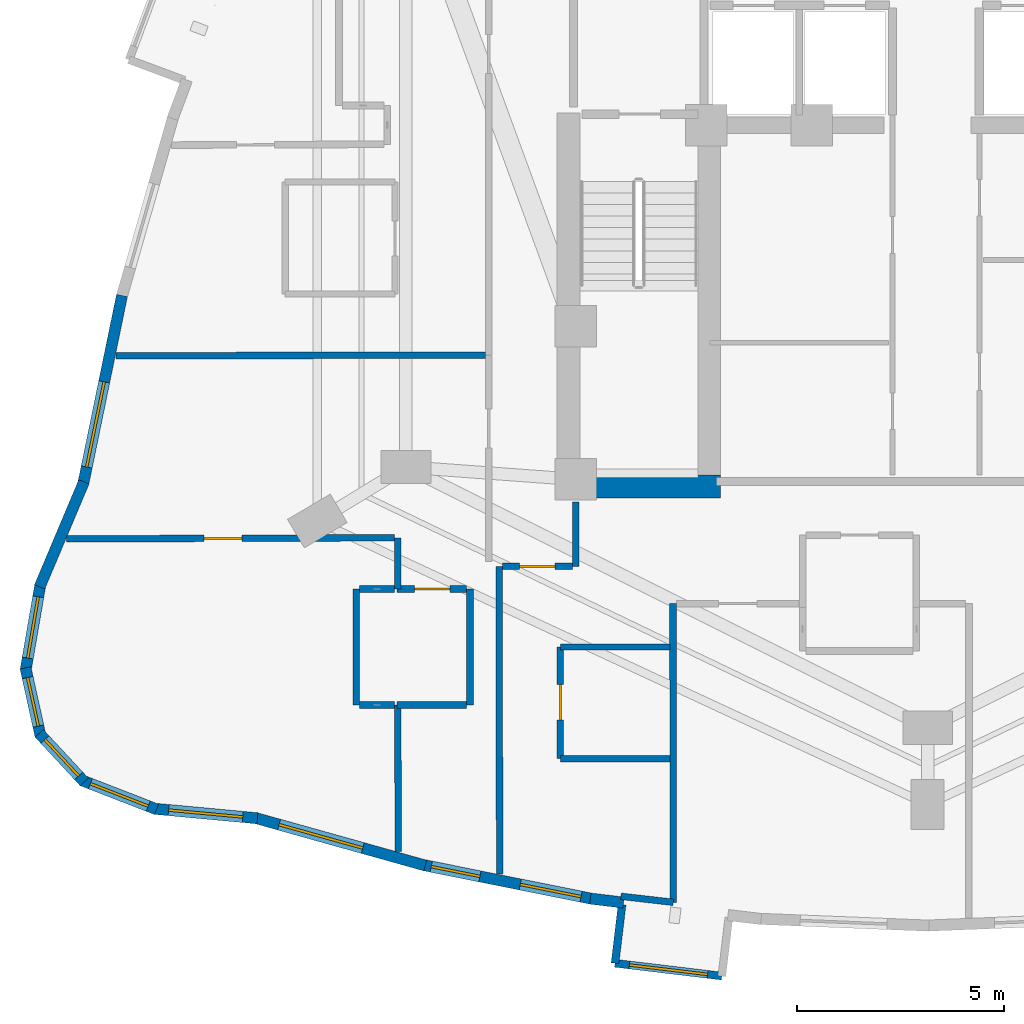
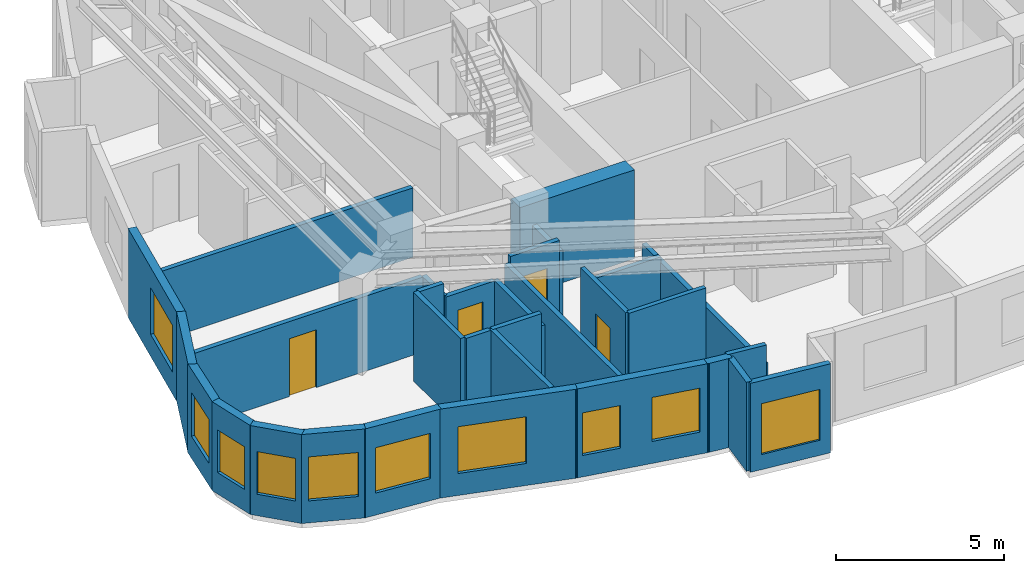
# One storey, part 8 of 14: 31 walls, 10 windows, 4 doors, 14 openings.
"""IFC4 building model written with IfcOpenShell, lengths in metres."""

from ifc_helpers import new_model, si_unit, direction, frame, frame_2d, origin, place, context, subcontext, project, spatial, rectangle, extrude, material, layer, layer_set, type_object, element, fill, save


model = new_model("IFC4")

# Units and contexts
model_context = context("Model", 3, precision=1e-05, world=origin(), true_north=direction((0.0, 1.0)))
body_context = subcontext(model_context, "Body", "Model", "MODEL_VIEW")
ifc_project = project(units=[si_unit("LENGTHUNIT", "METRE"), si_unit("AREAUNIT", "SQUARE_METRE"), si_unit("VOLUMEUNIT", "CUBIC_METRE"), si_unit("PLANEANGLEUNIT", "RADIAN"), si_unit("MASSUNIT", "GRAM", prefix="KILO")], contexts=[model_context])

# Site, building, storey
site_placement = place(None, origin())
site = spatial("IfcSite", under=ifc_project, at=site_placement, CompositionType="ELEMENT")
building_placement = place(site_placement, origin())
building = spatial("IfcBuilding", under=site, at=building_placement, Name="Miruveldt Soraemaru", CompositionType="ELEMENT")
storey_placement = place(building_placement, frame((0.0, 0.0, 128.39990234375)))
storey = spatial("IfcBuildingStorey", under=building, at=storey_placement, Name="L35", CompositionType="ELEMENT", Elevation=128.39990234375)

# Wall
ifc_material_1 = material(Name="White powder-coated aluminium EN AW-6060 T6", Category="aluminium")
ifc_layer_1 = layer(ifc_material_1, 0.18994140625, Name="White powder-coated aluminium EN AW-6060 T6", Category="aluminium")
ifc_layer_set_1 = layer_set([ifc_layer_1], Name="White powder-coated aluminium EN AW-6060 T6")
wall_type_1 = type_object("IfcWallType", Name="WALL-BAY-ALU190", PredefinedType="SOLIDWALL", material=ifc_layer_set_1)
wall_1_placement = place(storey_placement, frame((36.619873046875, 25.2275390625, 0.0), z_axis=(0.0, 0.0, 1.0), x_axis=(-0.119077659317, -0.992884943511, 0.0)))
element("IfcWall", 1, at=wall_1_placement, inside=storey, type_object=wall_type_1, Name="L35 Bay Window Side Cheek 3L", PredefinedType="SOLIDWALL", context=body_context, shape_type="SweptSolid", body=[
    extrude(rectangle(XDim=1.425048828125, YDim=0.18994140625, at=frame_2d((0.71240234375, 0.0))), origin(), (0.0, 0.0, 1.0), 3.235107421875),
])

# Wall, opening, window
wall_2_placement = place(storey_placement, frame((36.4501953125, 23.812744140625, 0.0), z_axis=(0.0, 0.0, 1.0), x_axis=(0.992874172121, -0.119167438232, 0.0)))
wall_2 = element("IfcWall", 2, at=wall_2_placement, inside=storey, type_object=wall_type_1, Name="L35 Bay Window Front Frame 3", PredefinedType="SOLIDWALL", context=body_context, shape_type="SweptSolid", body=[
    extrude(rectangle(XDim=2.599853515625, YDim=0.18994140625, at=frame_2d((1.2998046875, 0.0))), origin(), (0.0, 0.0, 1.0), 3.235107421875),
])
opening_1_placement = place(wall_2_placement, frame((0.35009765625, 0.0, 0.550048828125)))
opening_1 = element("IfcOpeningElement", 3, at=opening_1_placement, cuts=wall_2, Name="Opening WN-6", PredefinedType="OPENING", context=body_context, shape_type="SweptSolid", body=[
    extrude(rectangle(XDim=1.89990234375, YDim=1.85009765625, at=frame_2d((0.949951171875, 0.925048828125))), frame((0.0, 0.10498046875, 0.0), z_axis=(0.0, -1.0, 0.0), x_axis=(1.0, 0.0, 0.0)), (0.0, 0.0, 1.0), 0.2099609375),
])
ifc_material_2 = material(Name="Triple low-e insulated glazing", Category="glass")
window_type_1 = type_object("IfcWindowType", Name="WIN-BAYW-1900x1850", PartitioningType="SINGLE_PANEL", PredefinedType="WINDOW", material=ifc_material_2)
window_1_placement = place(opening_1_placement, origin())
window_1 = element("IfcWindow", 4, at=window_1_placement, inside=storey, type_object=window_type_1, Name="L35 Projecting Bay Window 3", OverallHeight=1.85009765625, OverallWidth=1.89990234375, PartitioningType="SINGLE_PANEL", PredefinedType="WINDOW", context=body_context, shape_type="SweptSolid", body=[
    extrude(rectangle(XDim=1.89990234375, YDim=1.85009765625, at=frame_2d((0.949951171875, 0.925048828125))), frame((0.0, 0.030029296875, 0.0), z_axis=(0.0, -1.0, 0.0), x_axis=(1.0, 0.0, 0.0)), (0.0, 0.0, 1.0), 0.06005859375),
])
fill(opening_1, window_1)

# Wall
ifc_material_3 = material(Name="Concrete C70/85 (70 MPa)", Category="concrete")
ifc_layer_2 = layer(ifc_material_3, 0.550048828125, Name="Concrete C70/85 (70 MPa)", Category="concrete")
ifc_layer_set_2 = layer_set([ifc_layer_2], Name="Concrete C70/85 (70 MPa)")
wall_type_2 = type_object("IfcWallType", Name="WALL-CW-550", PredefinedType="SHEAR", material=ifc_layer_set_2)
wall_3_placement = place(storey_placement, frame((35.050048828125, 35.324951171875, 0.0), z_axis=(0.0, 0.0, 1.0), x_axis=(1.0, 0.0, 0.0)))
element("IfcWall", 5, at=wall_3_placement, inside=storey, type_object=wall_type_2, Name="L35 Central Core Shear Wall S1", PredefinedType="SHEAR", context=body_context, shape_type="SweptSolid", body=[
    extrude(rectangle(XDim=3.949951171875, YDim=0.550048828125, at=frame_2d((1.97509765625, 0.0))), origin(), (0.0, 0.0, 1.0), 3.235107421875),
])

# Wall, opening, window
ifc_material_4 = material(Name="Precast concrete C45/55 (45 MPa)", Category="concrete")
ifc_layer_3 = layer(ifc_material_4, 0.27001953125, Name="Precast concrete C45/55 (45 MPa)", Category="concrete")
ifc_layer_set_3 = layer_set([ifc_layer_3], Name="Precast concrete C45/55 (45 MPa)")
wall_type_3 = type_object("IfcWallType", Name="WALL-EXT-PC270", PredefinedType="SOLIDWALL", material=ifc_layer_set_3)
wall_4_placement = place(storey_placement, frame((24.541748046875, 39.943359375, 0.0), z_axis=(0.0, 0.0, 1.0), x_axis=(-0.201567284441, -0.979474670343, 0.0)))
wall_4 = element("IfcWall", 6, at=wall_4_placement, inside=storey, type_object=wall_type_3, Name="L35 Precast Concrete Facade Wall 14", PredefinedType="SOLIDWALL", context=body_context, shape_type="SweptSolid", body=[
    extrude(rectangle(XDim=4.66552734375, YDim=0.27001953125, at=frame_2d((2.332763671875, 0.0))), origin(), (0.0, 0.0, 1.0), 3.235107421875),
])
opening_2_placement = place(wall_4_placement, frame((2.131103515625, 0.0, 0.800048828125)))
opening_2 = element("IfcOpeningElement", 7, at=opening_2_placement, cuts=wall_4, Name="Opening WN-1", PredefinedType="OPENING", context=body_context, shape_type="SweptSolid", body=[
    extrude(rectangle(XDim=2.10009765625, YDim=1.699951171875, at=frame_2d((1.050048828125, 0.85009765625))), frame((0.0, 0.14501953125, 0.0), z_axis=(0.0, -1.0, 0.0), x_axis=(1.0, 0.0, 0.0)), (0.0, 0.0, 1.0), 0.2900390625),
])
window_type_2 = type_object("IfcWindowType", Name="WIN-PUNCH-2100x1700", PartitioningType="SINGLE_PANEL", PredefinedType="WINDOW", material=ifc_material_2)
window_2_placement = place(opening_2_placement, origin())
window_2 = element("IfcWindow", 8, at=window_2_placement, inside=storey, type_object=window_type_2, Name="L35 Punched Triple-Glazed Window 14.1", OverallHeight=1.699951171875, OverallWidth=2.10009765625, PartitioningType="SINGLE_PANEL", PredefinedType="WINDOW", context=body_context, shape_type="SweptSolid", body=[
    extrude(rectangle(XDim=2.10009765625, YDim=1.699951171875, at=frame_2d((1.050048828125, 0.85009765625))), frame((0.0, 0.030029296875, 0.0), z_axis=(0.0, -1.0, 0.0), x_axis=(1.0, 0.0, 0.0)), (0.0, 0.0, 1.0), 0.06005859375),
])
fill(opening_2, window_2)

# Wall
wall_5_placement = place(storey_placement, frame((23.621826171875, 35.440185546875, 0.0), z_axis=(0.0, 0.0, 1.0), x_axis=(-0.388604046784, -0.921404848491, 0.0)))
element("IfcWall", 9, at=wall_5_placement, inside=storey, type_object=wall_type_3, Name="L35 Precast Concrete Facade Wall 15", PredefinedType="SOLIDWALL", context=body_context, shape_type="SweptSolid", body=[
    extrude(rectangle(XDim=2.7529296875, YDim=0.27001953125, at=frame_2d((1.37646484375, 0.0))), origin(), (0.0, 0.0, 1.0), 3.235107421875),
])

# Wall, opening, window
wall_6_placement = place(storey_placement, frame((22.571533203125, 32.97021484375, 0.0), z_axis=(0.0, 0.0, 1.0), x_axis=(-0.169321385443, -0.985560890271, 0.0)))
wall_6 = element("IfcWall", 10, at=wall_6_placement, inside=storey, type_object=wall_type_3, Name="L35 Precast Concrete Facade Wall 16", PredefinedType="SOLIDWALL", context=body_context, shape_type="SweptSolid", body=[
    extrude(rectangle(XDim=2.12255859375, YDim=0.27001953125, at=frame_2d((1.061279296875, 0.0))), origin(), (0.0, 0.0, 1.0), 3.235107421875),
])
opening_3_placement = place(wall_6_placement, frame((0.31103515625, 0.0, 0.800048828125)))
opening_3 = element("IfcOpeningElement", 11, at=opening_3_placement, cuts=wall_6, Name="Opening WN-3", PredefinedType="OPENING", context=body_context, shape_type="SweptSolid", body=[
    extrude(rectangle(XDim=1.5, YDim=1.60009765625, at=frame_2d((0.75, 0.800048828125))), frame((0.0, 0.14501953125, 0.0), z_axis=(0.0, -1.0, 0.0), x_axis=(1.0, 0.0, 0.0)), (0.0, 0.0, 1.0), 0.2900390625),
])
window_type_3 = type_object("IfcWindowType", Name="WIN-PUNCH-1500x1600", PartitioningType="SINGLE_PANEL", PredefinedType="WINDOW", material=ifc_material_2)
window_3_placement = place(opening_3_placement, origin())
window_3 = element("IfcWindow", 12, at=window_3_placement, inside=storey, type_object=window_type_3, Name="L35 Punched Triple-Glazed Window 16.1", OverallHeight=1.60009765625, OverallWidth=1.5, PartitioningType="SINGLE_PANEL", PredefinedType="WINDOW", context=body_context, shape_type="SweptSolid", body=[
    extrude(rectangle(XDim=1.5, YDim=1.60009765625, at=frame_2d((0.75, 0.800048828125))), frame((0.0, 0.030029296875, 0.0), z_axis=(0.0, -1.0, 0.0), x_axis=(1.0, 0.0, 0.0)), (0.0, 0.0, 1.0), 0.06005859375),
])
fill(opening_3, window_3)

wall_7_placement = place(storey_placement, frame((22.210693359375, 30.947265625, 0.0), z_axis=(0.0, 0.0, 1.0), x_axis=(0.215515556799, -0.976500406952, 0.0)))
wall_7 = element("IfcWall", 13, at=wall_7_placement, inside=storey, type_object=wall_type_3, Name="L35 Precast Concrete Facade Wall 17", PredefinedType="SOLIDWALL", context=body_context, shape_type="SweptSolid", body=[
    extrude(rectangle(XDim=1.68115234375, YDim=0.27001953125, at=frame_2d((0.840576171875, 0.0))), origin(), (0.0, 0.0, 1.0), 3.235107421875),
])
opening_4_placement = place(wall_7_placement, frame((0.239990234375, 0.0, 0.780029296875)))
opening_4 = element("IfcOpeningElement", 14, at=opening_4_placement, cuts=wall_7, Name="Opening WN-4", PredefinedType="OPENING", context=body_context, shape_type="SweptSolid", body=[
    extrude(rectangle(XDim=1.199951171875, YDim=1.550048828125, at=frame_2d((0.60009765625, 0.77490234375))), frame((0.0, 0.14501953125, 0.0), z_axis=(0.0, -1.0, 0.0), x_axis=(1.0, 0.0, 0.0)), (0.0, 0.0, 1.0), 0.2900390625),
])
window_type_4 = type_object("IfcWindowType", Name="WIN-PUNCH-1200x1550", PartitioningType="SINGLE_PANEL", PredefinedType="WINDOW", material=ifc_material_2)
window_4_placement = place(opening_4_placement, origin())
window_4 = element("IfcWindow", 15, at=window_4_placement, inside=storey, type_object=window_type_4, Name="L35 Punched Triple-Glazed Window 17.1", OverallHeight=1.550048828125, OverallWidth=1.199951171875, PartitioningType="SINGLE_PANEL", PredefinedType="WINDOW", context=body_context, shape_type="SweptSolid", body=[
    extrude(rectangle(XDim=1.199951171875, YDim=1.550048828125, at=frame_2d((0.60009765625, 0.77490234375))), frame((0.0, 0.030029296875, 0.0), z_axis=(0.0, -1.0, 0.0), x_axis=(1.0, 0.0, 0.0)), (0.0, 0.0, 1.0), 0.06005859375),
])
fill(opening_4, window_4)

wall_8_placement = place(storey_placement, frame((22.541748046875, 29.365478515625, 0.0), z_axis=(0.0, 0.0, 1.0), x_axis=(0.680188175281, -0.733037547611, 0.0)))
wall_8 = element("IfcWall", 16, at=wall_8_placement, inside=storey, type_object=wall_type_3, Name="L35 Precast Concrete Facade Wall 18", PredefinedType="SOLIDWALL", context=body_context, shape_type="SweptSolid", body=[
    extrude(rectangle(XDim=1.60302734375, YDim=0.27001953125, at=frame_2d((0.801513671875, 0.0))), origin(), (0.0, 0.0, 1.0), 3.235107421875),
])
opening_5_placement = place(wall_8_placement, frame((0.201904296875, 0.0, 0.780029296875)))
opening_5 = element("IfcOpeningElement", 17, at=opening_5_placement, cuts=wall_8, Name="Opening WN-4", PredefinedType="OPENING", context=body_context, shape_type="SweptSolid", body=[
    extrude(rectangle(XDim=1.199951171875, YDim=1.550048828125, at=frame_2d((0.60009765625, 0.77490234375))), frame((0.0, 0.14501953125, 0.0), z_axis=(0.0, -1.0, 0.0), x_axis=(1.0, 0.0, 0.0)), (0.0, 0.0, 1.0), 0.2900390625),
])
window_5_placement = place(opening_5_placement, origin())
window_5 = element("IfcWindow", 18, at=window_5_placement, inside=storey, type_object=window_type_4, Name="L35 Punched Triple-Glazed Window 18.1", OverallHeight=1.550048828125, OverallWidth=1.199951171875, PartitioningType="SINGLE_PANEL", PredefinedType="WINDOW", context=body_context, shape_type="SweptSolid", body=[
    extrude(rectangle(XDim=1.199951171875, YDim=1.550048828125, at=frame_2d((0.60009765625, 0.77490234375))), frame((0.0, 0.030029296875, 0.0), z_axis=(0.0, -1.0, 0.0), x_axis=(1.0, 0.0, 0.0)), (0.0, 0.0, 1.0), 0.06005859375),
])
fill(opening_5, window_5)

wall_9_placement = place(storey_placement, frame((23.57568359375, 28.228759765625, 0.0), z_axis=(0.0, 0.0, 1.0), x_axis=(0.932300505595, -0.361684624039, 0.0)))
wall_9 = element("IfcWall", 19, at=wall_9_placement, inside=storey, type_object=wall_type_3, Name="L35 Precast Concrete Facade Wall 19", PredefinedType="SOLIDWALL", context=body_context, shape_type="SweptSolid", body=[
    extrude(rectangle(XDim=1.933837890625, YDim=0.27001953125, at=frame_2d((0.966796875, 0.0))), origin(), (0.0, 0.0, 1.0), 3.235107421875),
])
opening_6_placement = place(wall_9_placement, frame((0.217041015625, 0.0, 0.800048828125)))
opening_6 = element("IfcOpeningElement", 20, at=opening_6_placement, cuts=wall_9, Name="Opening WN-3", PredefinedType="OPENING", context=body_context, shape_type="SweptSolid", body=[
    extrude(rectangle(XDim=1.5, YDim=1.60009765625, at=frame_2d((0.75, 0.800048828125))), frame((0.0, 0.14501953125, 0.0), z_axis=(0.0, -1.0, 0.0), x_axis=(1.0, 0.0, 0.0)), (0.0, 0.0, 1.0), 0.2900390625),
])
window_6_placement = place(opening_6_placement, origin())
window_6 = element("IfcWindow", 21, at=window_6_placement, inside=storey, type_object=window_type_3, Name="L35 Punched Triple-Glazed Window 19.1", OverallHeight=1.60009765625, OverallWidth=1.5, PartitioningType="SINGLE_PANEL", PredefinedType="WINDOW", context=body_context, shape_type="SweptSolid", body=[
    extrude(rectangle(XDim=1.5, YDim=1.60009765625, at=frame_2d((0.75, 0.800048828125))), frame((0.0, 0.030029296875, 0.0), z_axis=(0.0, -1.0, 0.0), x_axis=(1.0, 0.0, 0.0)), (0.0, 0.0, 1.0), 0.06005859375),
])
fill(opening_6, window_6)

wall_10_placement = place(storey_placement, frame((25.311279296875, 27.545166015625, 0.0), z_axis=(0.0, 0.0, 1.0), x_axis=(0.995759974065, -0.091989532284, 0.0)))
wall_10 = element("IfcWall", 22, at=wall_10_placement, inside=storey, type_object=wall_type_3, Name="L35 Precast Concrete Facade Wall 20", PredefinedType="SOLIDWALL", context=body_context, shape_type="SweptSolid", body=[
    extrude(rectangle(XDim=2.513427734375, YDim=0.27001953125, at=frame_2d((1.2568359375, 0.0))), origin(), (0.0, 0.0, 1.0), 3.235107421875),
])
opening_7_placement = place(wall_10_placement, frame((0.35693359375, 0.0, 0.800048828125)))
opening_7 = element("IfcOpeningElement", 23, at=opening_7_placement, cuts=wall_10, Name="Opening WN-2", PredefinedType="OPENING", context=body_context, shape_type="SweptSolid", body=[
    extrude(rectangle(XDim=1.800048828125, YDim=1.64990234375, at=frame_2d((0.89990234375, 0.824951171875))), frame((0.0, 0.14501953125, 0.0), z_axis=(0.0, -1.0, 0.0), x_axis=(1.0, 0.0, 0.0)), (0.0, 0.0, 1.0), 0.2900390625),
])
window_type_5 = type_object("IfcWindowType", Name="WIN-PUNCH-1800x1650", PartitioningType="SINGLE_PANEL", PredefinedType="WINDOW", material=ifc_material_2)
window_7_placement = place(opening_7_placement, origin())
window_7 = element("IfcWindow", 24, at=window_7_placement, inside=storey, type_object=window_type_5, Name="L35 Punched Triple-Glazed Window 20.1", OverallHeight=1.64990234375, OverallWidth=1.800048828125, PartitioningType="SINGLE_PANEL", PredefinedType="WINDOW", context=body_context, shape_type="SweptSolid", body=[
    extrude(rectangle(XDim=1.800048828125, YDim=1.64990234375, at=frame_2d((0.89990234375, 0.824951171875))), frame((0.0, 0.030029296875, 0.0), z_axis=(0.0, -1.0, 0.0), x_axis=(1.0, 0.0, 0.0)), (0.0, 0.0, 1.0), 0.06005859375),
])
fill(opening_7, window_7)

wall_11_placement = place(storey_placement, frame((27.745361328125, 27.32666015625, 0.0), z_axis=(0.0, 0.0, 1.0), x_axis=(0.962965204251, -0.269625694996, 0.0)))
wall_11 = element("IfcWall", 25, at=wall_11_placement, inside=storey, type_object=wall_type_3, Name="L35 Precast Concrete Facade Wall 21", PredefinedType="SOLIDWALL", context=body_context, shape_type="SweptSolid", body=[
    extrude(rectangle(XDim=4.281005859375, YDim=0.27001953125, at=frame_2d((2.140625, 0.0))), origin(), (0.0, 0.0, 1.0), 3.235107421875),
])
opening_8_placement = place(wall_11_placement, frame((0.613037109375, 0.0, 0.800048828125)))
opening_8 = element("IfcOpeningElement", 26, at=opening_8_placement, cuts=wall_11, Name="Opening WN-1", PredefinedType="OPENING", context=body_context, shape_type="SweptSolid", body=[
    extrude(rectangle(XDim=2.10009765625, YDim=1.699951171875, at=frame_2d((1.050048828125, 0.85009765625))), frame((0.0, 0.14501953125, 0.0), z_axis=(0.0, -1.0, 0.0), x_axis=(1.0, 0.0, 0.0)), (0.0, 0.0, 1.0), 0.2900390625),
])
window_8_placement = place(opening_8_placement, origin())
window_8 = element("IfcWindow", 27, at=window_8_placement, inside=storey, type_object=window_type_2, Name="L35 Punched Triple-Glazed Window 21.1", OverallHeight=1.699951171875, OverallWidth=2.10009765625, PartitioningType="SINGLE_PANEL", PredefinedType="WINDOW", context=body_context, shape_type="SweptSolid", body=[
    extrude(rectangle(XDim=2.10009765625, YDim=1.699951171875, at=frame_2d((1.050048828125, 0.85009765625))), frame((0.0, 0.030029296875, 0.0), z_axis=(0.0, -1.0, 0.0), x_axis=(1.0, 0.0, 0.0)), (0.0, 0.0, 1.0), 0.06005859375),
])
fill(opening_8, window_8)

# Wall, openings, windows
wall_12_placement = place(storey_placement, frame((31.800048828125, 26.188720703125, 0.0), z_axis=(0.0, 0.0, 1.0), x_axis=(0.980571743457, -0.196160791021, 0.0)))
wall_12 = element("IfcWall", 28, at=wall_12_placement, inside=storey, type_object=wall_type_3, Name="L35 Precast Concrete Facade Wall 22", PredefinedType="SOLIDWALL", context=body_context, shape_type="SweptSolid", body=[
    extrude(rectangle(XDim=4.20556640625, YDim=0.27001953125, at=frame_2d((2.102783203125, 0.0))), origin(), (0.0, 0.0, 1.0), 3.235107421875),
])
opening_9_placement = place(wall_12_placement, frame((0.216064453125, 0.0, 0.780029296875)))
opening_9 = element("IfcOpeningElement", 29, at=opening_9_placement, cuts=wall_12, Name="Opening WN-4", PredefinedType="OPENING", context=body_context, shape_type="SweptSolid", body=[
    extrude(rectangle(XDim=1.199951171875, YDim=1.550048828125, at=frame_2d((0.60009765625, 0.77490234375))), frame((0.0, 0.14501953125, 0.0), z_axis=(0.0, -1.0, 0.0), x_axis=(1.0, 0.0, 0.0)), (0.0, 0.0, 1.0), 0.2900390625),
])
opening_10_placement = place(wall_12_placement, frame((2.407958984375, 0.0, 0.800048828125)))
opening_10 = element("IfcOpeningElement", 30, at=opening_10_placement, cuts=wall_12, Name="Opening WN-3", PredefinedType="OPENING", context=body_context, shape_type="SweptSolid", body=[
    extrude(rectangle(XDim=1.5, YDim=1.60009765625, at=frame_2d((0.75, 0.800048828125))), frame((0.0, 0.14501953125, 0.0), z_axis=(0.0, -1.0, 0.0), x_axis=(1.0, 0.0, 0.0)), (0.0, 0.0, 1.0), 0.2900390625),
])
window_9_placement = place(opening_9_placement, origin())
window_9 = element("IfcWindow", 31, at=window_9_placement, inside=storey, type_object=window_type_4, Name="L35 Punched Triple-Glazed Window 22.1", OverallHeight=1.550048828125, OverallWidth=1.199951171875, PartitioningType="SINGLE_PANEL", PredefinedType="WINDOW", context=body_context, shape_type="SweptSolid", body=[
    extrude(rectangle(XDim=1.199951171875, YDim=1.550048828125, at=frame_2d((0.60009765625, 0.77490234375))), frame((0.0, 0.030029296875, 0.0), z_axis=(0.0, -1.0, 0.0), x_axis=(1.0, 0.0, 0.0)), (0.0, 0.0, 1.0), 0.06005859375),
])
fill(opening_9, window_9)
window_10_placement = place(opening_10_placement, origin())
window_10 = element("IfcWindow", 32, at=window_10_placement, inside=storey, type_object=window_type_3, Name="L35 Punched Triple-Glazed Window 22.2", OverallHeight=1.60009765625, OverallWidth=1.5, PartitioningType="SINGLE_PANEL", PredefinedType="WINDOW", context=body_context, shape_type="SweptSolid", body=[
    extrude(rectangle(XDim=1.5, YDim=1.60009765625, at=frame_2d((0.75, 0.800048828125))), frame((0.0, 0.030029296875, 0.0), z_axis=(0.0, -1.0, 0.0), x_axis=(1.0, 0.0, 0.0)), (0.0, 0.0, 1.0), 0.06005859375),
])
fill(opening_10, window_10)

# Wall
wall_13_placement = place(storey_placement, frame((35.854736328125, 25.374755859375, 0.0), z_axis=(0.0, 0.0, 1.0), x_axis=(0.992875407362, -0.119157146056, 0.0)))
element("IfcWall", 33, at=wall_13_placement, inside=storey, type_object=wall_type_3, Name="L35 Precast Pier Wall 23A", PredefinedType="SOLIDWALL", context=body_context, shape_type="SweptSolid", body=[
    extrude(rectangle(XDim=0.807373046875, YDim=0.27001953125, at=frame_2d((0.40380859375, 0.0))), origin(), (0.0, 0.0, 1.0), 3.235107421875),
])

# Wall, opening, door
ifc_material_5 = material(Name="Gypsum plasterboard lining", Category="gypsum")
ifc_layer_4 = layer(ifc_material_5, 0.14990234375, Name="Gypsum plasterboard lining", Category="gypsum")
ifc_layer_set_4 = layer_set([ifc_layer_4], Name="Gypsum plasterboard lining")
wall_type_4 = type_object("IfcWallType", Name="WALL-INT-PLUMB", PredefinedType="PLUMBINGWALL", material=ifc_layer_set_4)
wall_14_placement = place(storey_placement, frame((35.1298828125, 31.4541015625, 0.0), z_axis=(0.0, 0.0, 1.0), x_axis=(0.0, -1.0, 0.0)))
wall_14 = element("IfcWall", 34, at=wall_14_placement, inside=storey, type_object=wall_type_4, Name="L35 Partition Wall 71", PredefinedType="PLUMBINGWALL", context=body_context, shape_type="SweptSolid", body=[
    extrude(rectangle(XDim=2.7001953125, YDim=0.14990234375, at=frame_2d((1.35009765625, 0.0))), origin(), (0.0, 0.0, 1.0), 3.235107421875),
])
opening_11_placement = place(wall_14_placement, frame((0.909912109375, 0.0, 0.0)))
opening_11 = element("IfcOpeningElement", 35, at=opening_11_placement, cuts=wall_14, Name="Opening FD3", PredefinedType="OPENING", context=body_context, shape_type="SweptSolid", body=[
    extrude(rectangle(XDim=0.85009765625, YDim=2.10009765625, at=frame_2d((0.425048828125, 1.050048828125))), frame((0.0, 0.0849609375, 0.0), z_axis=(0.0, -1.0, 0.0), x_axis=(1.0, 0.0, 0.0)), (0.0, 0.0, 1.0), 0.169921875),
])
ifc_material_6 = material(Name="Anodised aluminium EN AW-6063 T6", Category="aluminium")
door_type_1 = type_object("IfcDoorType", Name="DOOR-FD3-850", OperationType="NOTDEFINED", PredefinedType="DOOR", material=ifc_material_6)
door_1_placement = place(opening_11_placement, origin())
door_1 = element("IfcDoor", 36, at=door_1_placement, inside=storey, type_object=door_type_1, Name="L35 Unit 3508 BTH Door", OperationType="SINGLE_SWING_LEFT", OverallHeight=2.10009765625, OverallWidth=0.85009765625, PredefinedType="DOOR", context=body_context, shape_type="SweptSolid", body=[
    extrude(rectangle(XDim=0.85009765625, YDim=2.10009765625, at=frame_2d((0.425048828125, 1.050048828125))), frame((0.0, 0.02490234375, 0.0), z_axis=(0.0, -1.0, 0.0), x_axis=(1.0, 0.0, 0.0)), (0.0, 0.0, 1.0), 0.050048828125),
])
fill(opening_11, door_1)

# Walls
wall_15_placement = place(storey_placement, frame((37.780029296875, 31.4541015625, 0.0), z_axis=(0.0, 0.0, 1.0), x_axis=(-1.0, 0.0, 0.0)))
element("IfcWall", 37, at=wall_15_placement, inside=storey, type_object=wall_type_4, Name="L35 Partition Wall 70", PredefinedType="PLUMBINGWALL", context=body_context, shape_type="SweptSolid", body=[
    extrude(rectangle(XDim=2.650146484375, YDim=0.14990234375, at=frame_2d((1.3251953125, 0.0))), origin(), (0.0, 0.0, 1.0), 2.72314453125),
])
wall_16_placement = place(storey_placement, frame((35.1298828125, 28.75390625, 0.0), z_axis=(0.0, 0.0, 1.0), x_axis=(1.0, 0.0, 0.0)))
element("IfcWall", 38, at=wall_16_placement, inside=storey, type_object=wall_type_4, Name="L35 Partition Wall 72", PredefinedType="PLUMBINGWALL", context=body_context, shape_type="SweptSolid", body=[
    extrude(rectangle(XDim=2.650146484375, YDim=0.14990234375, at=frame_2d((1.3251953125, 0.0))), origin(), (0.0, 0.0, 1.0), 3.235107421875),
])

# Wall, opening, door
ifc_material_7 = material(Name="Concrete C40/50 (40 MPa)", Category="concrete")
ifc_layer_5 = layer(ifc_material_7, 0.159912109375, Name="Concrete C40/50 (40 MPa)", Category="concrete")
ifc_layer_set_5 = layer_set([ifc_layer_5], Name="Concrete C40/50 (40 MPa)")
wall_type_5 = type_object("IfcWallType", Name="WALL-INT-RC160", PredefinedType="SOLIDWALL", material=ifc_layer_set_5)
wall_17_placement = place(storey_placement, frame((23.2041015625, 34.06298828125, 0.0), z_axis=(0.0, 0.0, 1.0), x_axis=(0.999994140252, 0.003423370021, 0.0)))
wall_17 = element("IfcWall", 39, at=wall_17_placement, inside=storey, type_object=wall_type_5, Name="L35 Partition Wall 63", PredefinedType="SOLIDWALL", context=body_context, shape_type="SweptSolid", body=[
    extrude(rectangle(XDim=7.916015625, YDim=0.159912109375, at=frame_2d((3.9580078125, 0.0))), origin(), (0.0, 0.0, 1.0), 2.72314453125),
])
opening_12_placement = place(wall_17_placement, frame((3.318115234375, 0.0, 0.0)))
opening_12 = element("IfcOpeningElement", 40, at=opening_12_placement, cuts=wall_17, Name="Opening D3A", PredefinedType="OPENING", context=body_context, shape_type="SweptSolid", body=[
    extrude(rectangle(XDim=0.919921875, YDim=2.10009765625, at=frame_2d((0.4599609375, 1.050048828125))), frame((0.0, 0.08984375, 0.0), z_axis=(0.0, -1.0, 0.0), x_axis=(1.0, 0.0, 0.0)), (0.0, 0.0, 1.0), 0.179931640625),
])
door_type_2 = type_object("IfcDoorType", Name="DOOR-INT-920", OperationType="NOTDEFINED", PredefinedType="DOOR", material=ifc_material_6)
door_2_placement = place(opening_12_placement, origin())
door_2 = element("IfcDoor", 41, at=door_2_placement, inside=storey, type_object=door_type_2, Name="L35 Unit 3507 BD1 Door", OperationType="SINGLE_SWING_LEFT", OverallHeight=2.10009765625, OverallWidth=0.919921875, PredefinedType="DOOR", context=body_context, shape_type="SweptSolid", body=[
    extrude(rectangle(XDim=0.919921875, YDim=2.10009765625, at=frame_2d((0.4599609375, 1.050048828125))), frame((0.0, 0.02490234375, 0.0), z_axis=(0.0, -1.0, 0.0), x_axis=(1.0, 0.0, 0.0)), (0.0, 0.0, 1.0), 0.050048828125),
])
fill(opening_12, door_2)

wall_18_placement = place(storey_placement, frame((33.72998046875, 33.39990234375, 0.0), z_axis=(0.0, 0.0, 1.0), x_axis=(1.0, 0.0, 0.0)))
wall_18 = element("IfcWall", 42, at=wall_18_placement, inside=storey, type_object=wall_type_5, Name="L35 Partition Wall 9", PredefinedType="SOLIDWALL", context=body_context, shape_type="SweptSolid", body=[
    extrude(rectangle(XDim=1.68994140625, YDim=0.159912109375, at=frame_2d((0.844970703125, 0.0))), origin(), (0.0, 0.0, 1.0), 2.97314453125),
])
opening_13_placement = place(wall_18_placement, frame((0.4150390625, 0.0, 0.0)))
opening_13 = element("IfcOpeningElement", 43, at=opening_13_placement, cuts=wall_18, Name="Opening FD3", PredefinedType="OPENING", context=body_context, shape_type="SweptSolid", body=[
    extrude(rectangle(XDim=0.85009765625, YDim=2.10009765625, at=frame_2d((0.425048828125, 1.050048828125))), frame((0.0, 0.08984375, 0.0), z_axis=(0.0, -1.0, 0.0), x_axis=(1.0, 0.0, 0.0)), (0.0, 0.0, 1.0), 0.179931640625),
])
door_3_placement = place(opening_13_placement, origin())
door_3 = element("IfcDoor", 44, at=door_3_placement, inside=storey, type_object=door_type_1, Name="L35 Unit 3508 Entrance Fire Door", OperationType="SINGLE_SWING_RIGHT", OverallHeight=2.10009765625, OverallWidth=0.85009765625, PredefinedType="DOOR", context=body_context, shape_type="SweptSolid", body=[
    extrude(rectangle(XDim=0.85009765625, YDim=2.10009765625, at=frame_2d((0.425048828125, 1.050048828125))), frame((0.0, 0.02490234375, 0.0), z_axis=(0.0, -1.0, 0.0), x_axis=(1.0, 0.0, 0.0)), (0.0, 0.0, 1.0), 0.050048828125),
])
fill(opening_13, door_3)

wall_19_placement = place(storey_placement, frame((32.867919921875, 32.85107421875, 0.0), z_axis=(0.0, 0.0, 1.0), x_axis=(-1.0, 0.0, 0.0)))
wall_19 = element("IfcWall", 45, at=wall_19_placement, inside=storey, type_object=wall_type_5, Name="L35 Partition Wall 61", PredefinedType="SOLIDWALL", context=body_context, shape_type="SweptSolid", body=[
    extrude(rectangle(XDim=1.677978515625, YDim=0.159912109375, at=frame_2d((0.8388671875, 0.0))), origin(), (0.0, 0.0, 1.0), 2.72314453125),
])
opening_14_placement = place(wall_19_placement, frame((0.408935546875, 0.0, 0.0)))
opening_14 = element("IfcOpeningElement", 46, at=opening_14_placement, cuts=wall_19, Name="Opening FD3", PredefinedType="OPENING", context=body_context, shape_type="SweptSolid", body=[
    extrude(rectangle(XDim=0.85009765625, YDim=2.10009765625, at=frame_2d((0.425048828125, 1.050048828125))), frame((0.0, 0.08984375, 0.0), z_axis=(0.0, -1.0, 0.0), x_axis=(1.0, 0.0, 0.0)), (0.0, 0.0, 1.0), 0.179931640625),
])
door_4_placement = place(opening_14_placement, origin())
door_4 = element("IfcDoor", 47, at=door_4_placement, inside=storey, type_object=door_type_1, Name="L35 Unit 3507 KIT Door", OperationType="SINGLE_SWING_RIGHT", OverallHeight=2.10009765625, OverallWidth=0.85009765625, PredefinedType="DOOR", context=body_context, shape_type="SweptSolid", body=[
    extrude(rectangle(XDim=0.85009765625, YDim=2.10009765625, at=frame_2d((0.425048828125, 1.050048828125))), frame((0.0, 0.02490234375, 0.0), z_axis=(0.0, -1.0, 0.0), x_axis=(1.0, 0.0, 0.0)), (0.0, 0.0, 1.0), 0.050048828125),
])
fill(opening_14, door_4)

# Walls
wall_20_placement = place(storey_placement, frame((24.39501953125, 38.486083984375, 0.0), z_axis=(0.0, 0.0, 1.0), x_axis=(0.999998783571, 0.001559761675, 0.0)))
element("IfcWall", 48, at=wall_20_placement, inside=storey, type_object=wall_type_5, Name="L35 Partition Wall 49", PredefinedType="SOLIDWALL", context=body_context, shape_type="SweptSolid", body=[
    extrude(rectangle(XDim=8.921875, YDim=0.159912109375, at=frame_2d((4.4609375, 0.0))), origin(), (0.0, 0.0, 1.0), 2.523193359375),
])
wall_21_placement = place(storey_placement, frame((33.6640625, 25.968994140625, 0.0), z_axis=(0.0, 0.0, 1.0), x_axis=(-0.001905571991, 0.999998184396, 0.0)))
element("IfcWall", 49, at=wall_21_placement, inside=storey, type_object=wall_type_5, Name="L35 Partition Wall 66", PredefinedType="SOLIDWALL", context=body_context, shape_type="SweptSolid", body=[
    extrude(rectangle(XDim=7.430908203125, YDim=0.159912109375, at=frame_2d((3.71533203125, 0.0))), origin(), (0.0, 0.0, 1.0), 2.72314453125),
])
wall_22_placement = place(storey_placement, frame((37.85791015625, 25.284912109375, 0.0), z_axis=(0.0, 0.0, 1.0), x_axis=(-0.001082799758, 0.999999413772, 0.0)))
element("IfcWall", 50, at=wall_22_placement, inside=storey, type_object=wall_type_5, Name="L35 Partition Wall 89", PredefinedType="SOLIDWALL", context=body_context, shape_type="SweptSolid", body=[
    extrude(rectangle(XDim=7.215087890625, YDim=0.159912109375, at=frame_2d((3.607421875, 0.0))), origin(), (0.0, 0.0, 1.0), 2.523193359375),
])
wall_23_placement = place(storey_placement, frame((31.199951171875, 30.051025390625, 0.0), z_axis=(0.0, 0.0, 1.0), x_axis=(0.005377749042, -0.999985539803, 0.0)))
element("IfcWall", 51, at=wall_23_placement, inside=storey, type_object=wall_type_5, Name="L35 Partition Wall 65", PredefinedType="SOLIDWALL", context=body_context, shape_type="SweptSolid", body=[
    extrude(rectangle(XDim=3.541015625, YDim=0.159912109375, at=frame_2d((1.7705078125, 0.0))), origin(), (0.0, 0.0, 1.0), 3.235107421875),
])
wall_24_placement = place(storey_placement, frame((32.947998046875, 30.051025390625, 0.0), z_axis=(0.0, 0.0, 1.0), x_axis=(0.0, 1.0, 0.0)))
element("IfcWall", 52, at=wall_24_placement, inside=storey, type_object=wall_type_5, Name="L35 Partition Wall 60", PredefinedType="SOLIDWALL", context=body_context, shape_type="SweptSolid", body=[
    extrude(rectangle(XDim=2.800048828125, YDim=0.159912109375, at=frame_2d((1.39990234375, 0.0))), origin(), (0.0, 0.0, 1.0), 2.72314453125),
])
wall_25_placement = place(storey_placement, frame((30.197998046875, 32.85107421875, 0.0), z_axis=(0.0, 0.0, 1.0), x_axis=(0.0, -1.0, 0.0)))
element("IfcWall", 53, at=wall_25_placement, inside=storey, type_object=wall_type_5, Name="L35 Partition Wall 68", PredefinedType="SOLIDWALL", context=body_context, shape_type="SweptSolid", body=[
    extrude(rectangle(XDim=2.800048828125, YDim=0.159912109375, at=frame_2d((1.39990234375, 0.0))), origin(), (0.0, 0.0, 1.0), 3.235107421875),
])
wall_26_placement = place(storey_placement, frame((31.18994140625, 30.051025390625, 0.0), z_axis=(0.0, 0.0, 1.0), x_axis=(1.0, 0.0, 0.0)))
element("IfcWall", 54, at=wall_26_placement, inside=storey, type_object=wall_type_5, Name="L35 Partition Wall 62", PredefinedType="SOLIDWALL", context=body_context, shape_type="SweptSolid", body=[
    extrude(rectangle(XDim=1.677978515625, YDim=0.159912109375, at=frame_2d((0.8388671875, 0.0))), origin(), (0.0, 0.0, 1.0), 3.235107421875),
])
wall_27_placement = place(storey_placement, frame((35.5, 33.39990234375, 0.0), z_axis=(0.0, 0.0, 1.0), x_axis=(0.0, 1.0, 0.0)))
element("IfcWall", 55, at=wall_27_placement, inside=storey, type_object=wall_type_5, Name="L35 Partition Wall 10", PredefinedType="SOLIDWALL", context=body_context, shape_type="SweptSolid", body=[
    extrude(rectangle(XDim=1.550048828125, YDim=0.159912109375, at=frame_2d((0.77490234375, 0.0))), origin(), (0.0, 0.0, 1.0), 2.523193359375),
])
wall_28_placement = place(storey_placement, frame((37.85791015625, 25.284912109375, 0.0), z_axis=(0.0, 0.0, 1.0), x_axis=(-0.993462603981, 0.114158024212, 0.0)))
element("IfcWall", 56, at=wall_28_placement, inside=storey, type_object=wall_type_5, Name="L35 Partition Closure Return 1", PredefinedType="SOLIDWALL", context=body_context, shape_type="SweptSolid", body=[
    extrude(rectangle(XDim=1.2724609375, YDim=0.159912109375, at=frame_2d((0.63623046875, 0.0))), origin(), (0.0, 0.0, 1.0), 3.235107421875),
])
wall_29_placement = place(storey_placement, frame((31.199951171875, 34.090087890625, 0.0), z_axis=(0.0, 0.0, 1.0), x_axis=(0.0, -1.0, 0.0)))
element("IfcWall", 57, at=wall_29_placement, inside=storey, type_object=wall_type_5, Name="L35 Partition Wall 64", PredefinedType="SOLIDWALL", context=body_context, shape_type="SweptSolid", body=[
    extrude(rectangle(XDim=1.239013671875, YDim=0.159912109375, at=frame_2d((0.61962890625, 0.0))), origin(), (0.0, 0.0, 1.0), 2.72314453125),
])
for number, where, z_axis, x_axis, name in (
    (58, (31.1201171875, 32.85107421875, 0.0), (0.0, 0.0, 1.0), (-1.0, 0.0, 0.0), "L35 Partition Wall 67"),
    (59, (30.278076171875, 30.051025390625, 0.0), (0.0, 0.0, 1.0), (1.0, 0.0, 0.0), "L35 Partition Wall 69"),
):
    element("IfcWall", number, at=place(storey_placement, frame(where, z_axis=z_axis, x_axis=x_axis)), inside=storey, type_object=wall_type_5, Name=name, PredefinedType="SOLIDWALL", context=body_context, shape_type="SweptSolid", body=[
        extrude(rectangle(XDim=0.842041015625, YDim=0.159912109375, at=frame_2d((0.4208984375, 0.0))), origin(), (0.0, 0.0, 1.0), 3.235107421875),
    ])

save(model, "model.ifc")
